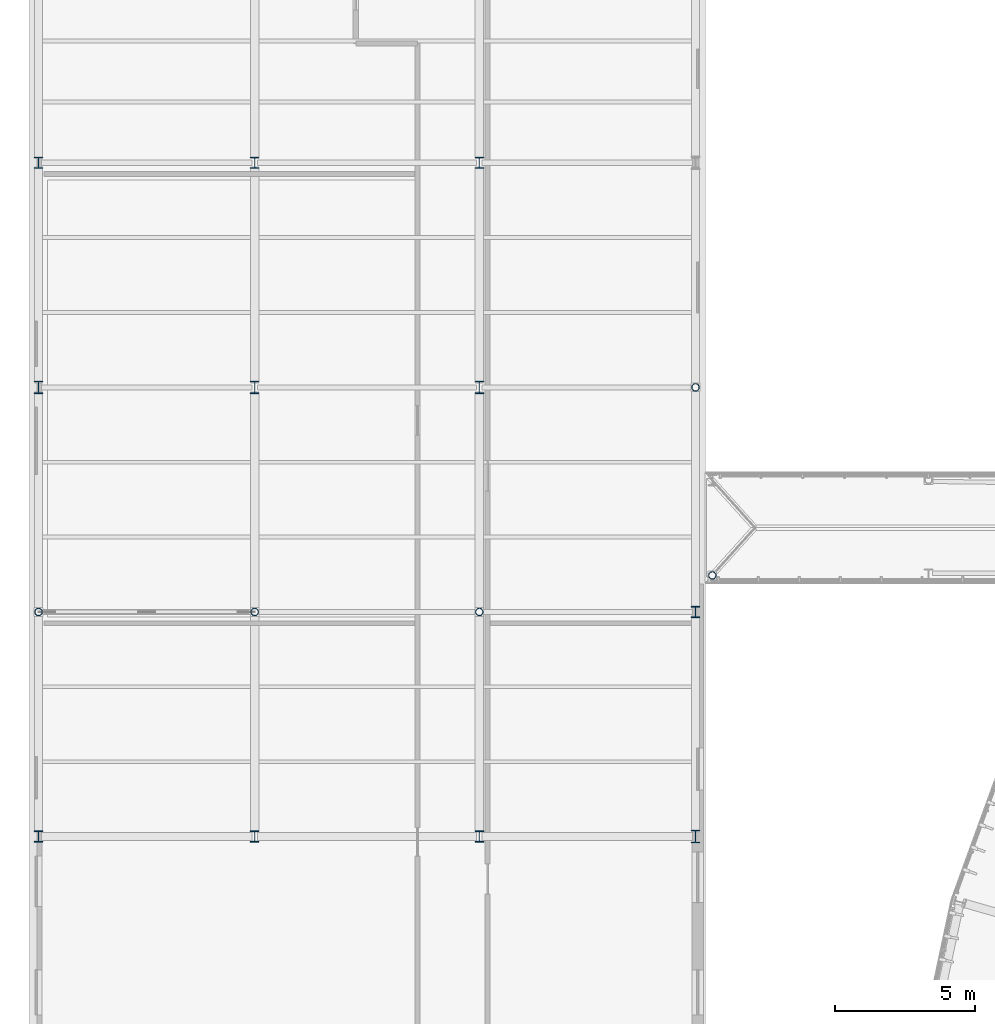
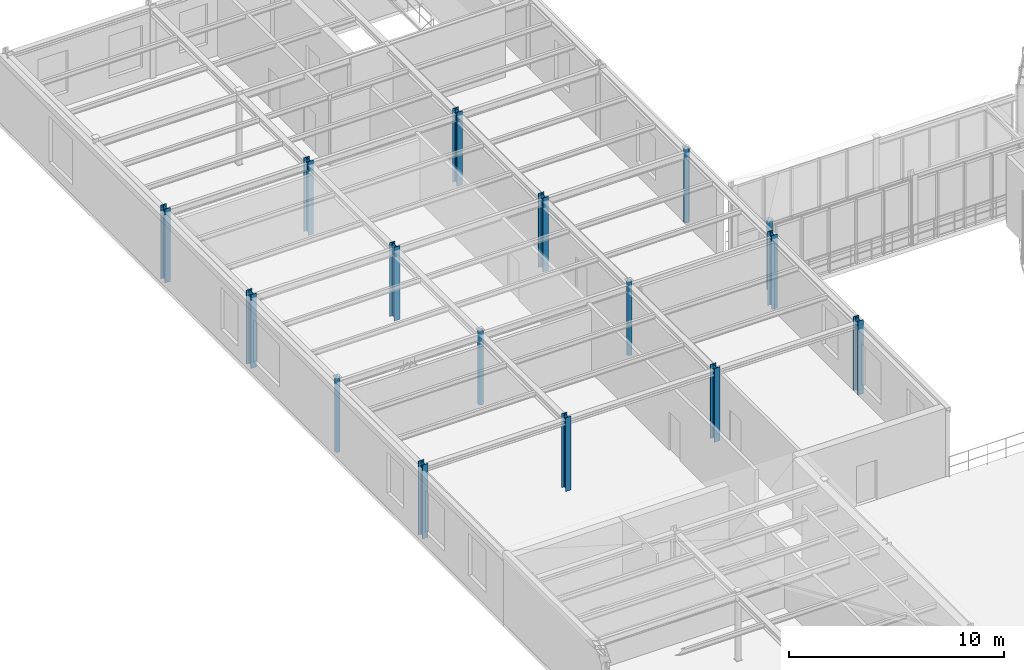
# One storey, part 3 of 52: 16 columns.
"""IFC4 building model written with IfcOpenShell, lengths in metres."""

from ifc_helpers import new_model, si_unit, direction, frame, origin, origin_2d, place, context, subcontext, project, spatial, hollow_circle, i_section, extrude, material, material_profile, profile_set, type_object, element, save


model = new_model("IFC4")

# Units and contexts
model_context = context("Model", 3, precision=1e-05, world=origin(), true_north=direction((0.0, 1.0)))
body_context = subcontext(model_context, "Body", "Model", "MODEL_VIEW")
ifc_project = project(units=[si_unit("LENGTHUNIT", "METRE"), si_unit("AREAUNIT", "SQUARE_METRE"), si_unit("VOLUMEUNIT", "CUBIC_METRE"), si_unit("PLANEANGLEUNIT", "RADIAN"), si_unit("MASSUNIT", "GRAM", prefix="KILO"), si_unit("THERMODYNAMICTEMPERATUREUNIT", "KELVIN"), si_unit("POWERUNIT", "WATT")], contexts=[model_context])

# Site, building, storey
site_placement = place(None, origin())
site = spatial("IfcSite", under=ifc_project, at=site_placement, CompositionType="ELEMENT")
building_placement = place(site_placement, origin())
building = spatial("IfcBuilding", under=site, at=building_placement, Name="Solvatero Civic Police Headquarters", CompositionType="ELEMENT")
storey_placement = place(building_placement, frame((0.0, 0.0, 13.5)))
storey = spatial("IfcBuildingStorey", under=building, at=storey_placement, Name="L03", CompositionType="ELEMENT", Elevation=13.5)

# Columns
ifc_material = material(Name="Steel S355", Category="steel")
ifc_material_profile_1 = material_profile(ifc_material, hollow_circle(Radius=0.136474609375, WallThickness=0.012451171875, at=origin_2d()), Name="CHS 273.0x12.5")
ifc_profile_set_1 = profile_set([ifc_material_profile_1], Name="Steel S355")
column_type_1 = type_object("IfcColumnType", Name="COL-ST-CHS273", PredefinedType="COLUMN", material=ifc_profile_set_1)
column_placement = place(storey_placement, frame((28.800048828125, 53.800048828125, 0.0), z_axis=(0.0, 0.0, 1.0), x_axis=(1.0, 0.0, 0.0)))
element("IfcColumn", 1, at=column_placement, inside=storey, type_object=column_type_1, Name="Column SB1-W-S L03", PredefinedType="COLUMN", context=body_context, shape_type="SweptSolid", body=[
    extrude(hollow_circle(Radius=0.136474609375, WallThickness=0.012451171875, at=origin_2d()), origin(), (0.0, 0.0, 1.0), 3.93994140625),
])
for number, where, z_axis, x_axis, name in (
    (2, (4.800048828125, 52.5, 0.0), (0.0, 0.0, 1.0), (1.0, 0.0, 0.0), "Column V6-X1Y2 L03"),
    (3, (12.5, 52.5, 0.0), (0.0, 0.0, 1.0), (1.0, 0.0, 0.0), "Column V6-X2Y2 L03"),
    (4, (20.5, 52.5, 0.0), (0.0, 0.0, 1.0), (1.0, 0.0, 0.0), "Column V6-X3Y2 L03"),
    (5, (28.199951171875, 60.5, 0.0), (0.0, 0.0, 1.0), (1.0, 0.0, 0.0), "Column V6-X4Y3 L03"),
):
    element("IfcColumn", number, at=place(storey_placement, frame(where, z_axis=z_axis, x_axis=x_axis)), inside=storey, type_object=column_type_1, Name=name, PredefinedType="COLUMN", context=body_context, shape_type="SweptSolid", body=[
        extrude(hollow_circle(Radius=0.136474609375, WallThickness=0.012451171875, at=origin_2d()), origin(), (0.0, 0.0, 1.0), 4.199951171875),
    ])
ifc_material_profile_2 = material_profile(ifc_material, i_section(OverallWidth=0.300048828125, OverallDepth=0.39990234375, WebThickness=0.013427734375, FlangeThickness=0.02392578125, FilletRadius=0.027099609375, at=origin_2d()), Name="HEB 400")
ifc_profile_set_2 = profile_set([ifc_material_profile_2], Name="Steel S355")
column_type_2 = type_object("IfcColumnType", Name="COL-ST-HEB400", PredefinedType="COLUMN", material=ifc_profile_set_2)
for number, where, z_axis, x_axis, name in (
    (6, (4.800048828125, 44.5, 0.0), (0.0, 0.0, 1.0), (1.0, 0.0, 0.0), "Column V6-X1Y1 L03"),
    (7, (4.800048828125, 68.5, 0.0), (0.0, 0.0, 1.0), (1.0, 0.0, 0.0), "Column V6-X1Y4 L03"),
    (8, (12.5, 44.5, 0.0), (0.0, 0.0, 1.0), (1.0, 0.0, 0.0), "Column V6-X2Y1 L03"),
    (9, (12.5, 68.5, 0.0), (0.0, 0.0, 1.0), (1.0, 0.0, 0.0), "Column V6-X2Y4 L03"),
    (10, (20.5, 44.5, 0.0), (0.0, 0.0, 1.0), (1.0, 0.0, 0.0), "Column V6-X3Y1 L03"),
    (11, (20.5, 68.5, 0.0), (0.0, 0.0, 1.0), (1.0, 0.0, 0.0), "Column V6-X3Y4 L03"),
    (12, (28.199951171875, 52.5, 0.0), (0.0, 0.0, 1.0), (1.0, 0.0, 0.0), "Column V6-X4Y2 L03"),
):
    element("IfcColumn", number, at=place(storey_placement, frame(where, z_axis=z_axis, x_axis=x_axis)), inside=storey, type_object=column_type_2, Name=name, PredefinedType="COLUMN", context=body_context, shape_type="SweptSolid", body=[
        extrude(i_section(OverallWidth=0.300048828125, OverallDepth=0.39990234375, WebThickness=0.013427734375, FlangeThickness=0.02392578125, FilletRadius=0.027099609375, at=origin_2d()), origin(), (0.0, 0.0, 1.0), 4.199951171875),
    ])
ifc_material_profile_3 = material_profile(ifc_material, i_section(OverallWidth=0.300048828125, OverallDepth=0.449951171875, WebThickness=0.013916015625, FlangeThickness=0.02587890625, FilletRadius=0.027099609375, at=origin_2d()), Name="HEB 450")
ifc_profile_set_3 = profile_set([ifc_material_profile_3], Name="Steel S355")
column_type_3 = type_object("IfcColumnType", Name="COL-ST-HEB450", PredefinedType="COLUMN", material=ifc_profile_set_3)
for number, where, z_axis, x_axis, name in (
    (13, (4.800048828125, 60.5, 0.0), (0.0, 0.0, 1.0), (1.0, 0.0, 0.0), "Column V6-X1Y3 L03"),
    (14, (12.5, 60.5, 0.0), (0.0, 0.0, 1.0), (1.0, 0.0, 0.0), "Column V6-X2Y3 L03"),
    (15, (20.5, 60.5, 0.0), (0.0, 0.0, 1.0), (1.0, 0.0, 0.0), "Column V6-X3Y3 L03"),
    (16, (28.199951171875, 44.5, 0.0), (0.0, 0.0, 1.0), (1.0, 0.0, 0.0), "Column V6-X4Y1 L03"),
):
    element("IfcColumn", number, at=place(storey_placement, frame(where, z_axis=z_axis, x_axis=x_axis)), inside=storey, type_object=column_type_3, Name=name, PredefinedType="COLUMN", context=body_context, shape_type="SweptSolid", body=[
        extrude(i_section(OverallWidth=0.300048828125, OverallDepth=0.449951171875, WebThickness=0.013916015625, FlangeThickness=0.02587890625, FilletRadius=0.027099609375, at=origin_2d()), origin(), (0.0, 0.0, 1.0), 4.199951171875),
    ])

save(model, "model.ifc")
